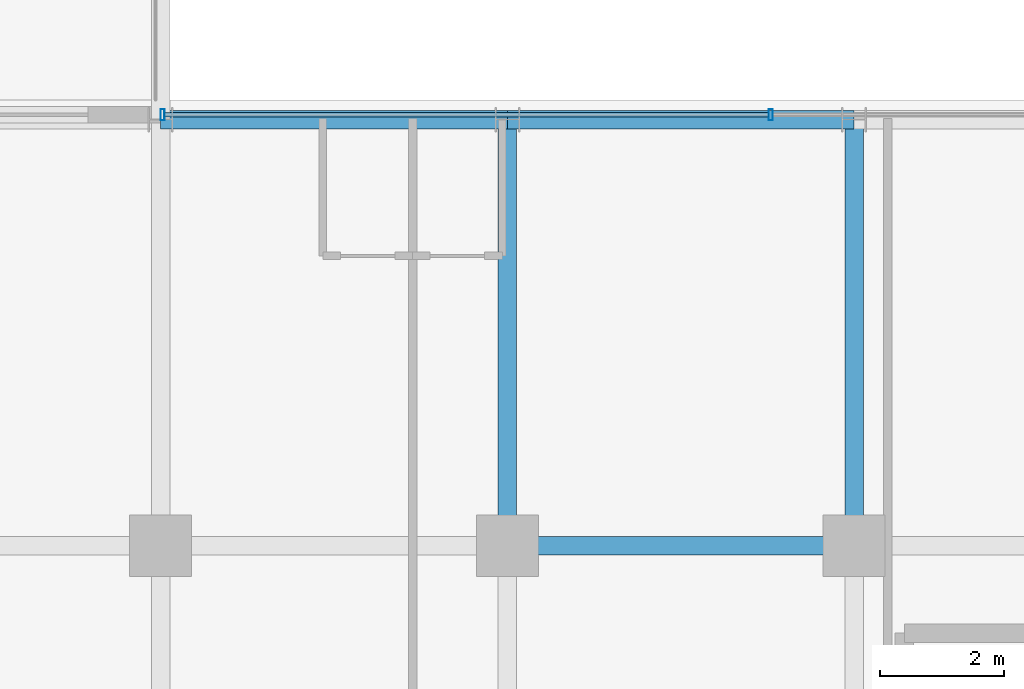
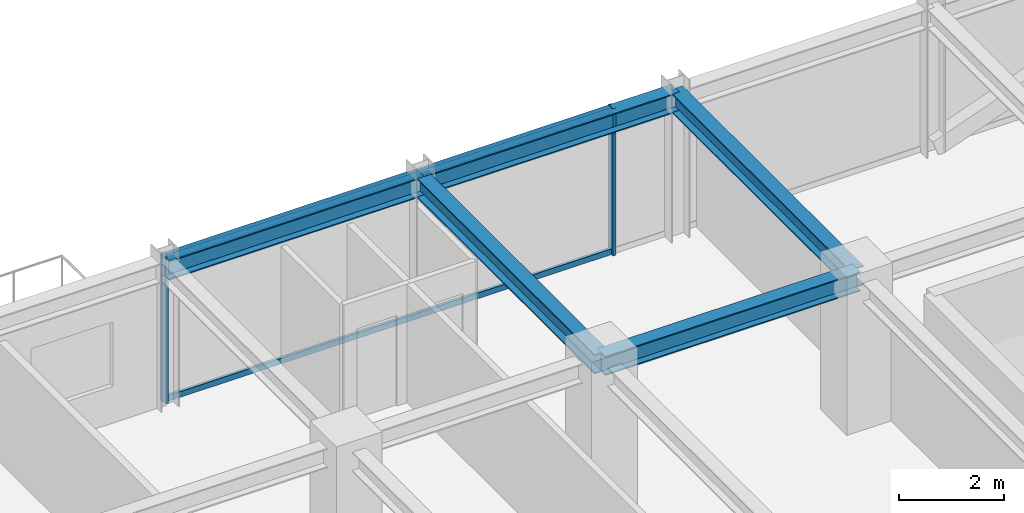
# One storey, part 23 of 36: 5 beams, 4 members, 1 element without a shape of its own.
"""IFC4 building model written with IfcOpenShell, lengths in metres."""

import ifcopenshell
import ifcopenshell.guid

model = None  # the IFC model being written
_history = None  # IfcOwnerHistory: only IFC2X3 demands one
_inside = {}  # id of a spatial element -> (the spatial element, [elements in it])
_under = {}  # id of a project, library or spatial element -> (it, [spatial elements below it])
_declared = {}  # id of a project -> (the project, [libraries it declares])
_typed = {}  # id of a type object -> (the type object, [elements of that type])
_made_of = {}  # id of a material, layer set ... -> (it, [elements and type objects made of it])


def new_model(schema):
    """Start an empty IFC model of exactly this schema.

    Asked for "IFC4X3", IfcOpenShell would pick the latest addendum, in which some entities
    have other attributes; the version numbers below select the first issue.
    IFC2X3 requires an IfcOwnerHistory on every rooted entity: one is made here for all.
    """
    global model, _history
    if schema == "IFC4X3":
        model = ifcopenshell.file(schema_version=(4, 3, 0, 0))
    else:
        model = ifcopenshell.file(schema=schema)
    _inside.clear()
    _under.clear()
    _declared.clear()
    _typed.clear()
    _made_of.clear()
    _history = None
    if model.schema == "IFC2X3":
        org = make("IfcOrganization", Name="unknown")
        user = make(
            "IfcPersonAndOrganization",
            ThePerson=make("IfcPerson", FamilyName="unknown"),
            TheOrganization=org,
        )
        app = make(
            "IfcApplication",
            ApplicationDeveloper=org,
            Version="unknown",
            ApplicationFullName="unknown",
            ApplicationIdentifier="unknown",
        )
        _history = make(
            "IfcOwnerHistory",
            OwningUser=user,
            OwningApplication=app,
            ChangeAction="ADDED",
            CreationDate=0,
        )
    return model


def make(cls, **values):
    """One entity of the class cls with the attributes given. An attribute that is None is left unset."""
    return model.create_entity(
        cls, **{name: value for name, value in values.items() if value is not None}
    )


def rooted(cls, **values):
    """An entity with a GlobalId (a new one), such as an element, a storey or a relation."""
    return make(cls, GlobalId=ifcopenshell.guid.new(), OwnerHistory=_history, **values)


def si_unit(unit_type, name, prefix=None):
    """IfcSIUnit, for example si_unit("LENGTHUNIT", "METRE", prefix="MILLI")."""
    return make("IfcSIUnit", UnitType=unit_type, Prefix=prefix, Name=name)


def assignment(units):
    """IfcUnitAssignment: the units of a project."""
    return None if units is None else make("IfcUnitAssignment", Units=units)


def point(xyz):
    """IfcCartesianPoint."""
    return None if xyz is None else make("IfcCartesianPoint", Coordinates=xyz)


def direction(xyz):
    """IfcDirection."""
    return None if xyz is None else make("IfcDirection", DirectionRatios=xyz)


def frame(location, z_axis=None, x_axis=None):
    """IfcAxis2Placement3D, a coordinate frame: its origin and axes. An axis left out is left unset."""
    return make(
        "IfcAxis2Placement3D",
        Location=point(location),
        Axis=direction(z_axis),
        RefDirection=direction(x_axis),
    )


def frame_2d(location, x_axis=None):
    """IfcAxis2Placement2D, a coordinate frame in the plane: its origin and x axis."""
    return make(
        "IfcAxis2Placement2D", Location=point(location), RefDirection=direction(x_axis)
    )


def origin():
    """The frame at (0, 0, 0) with its axes left unset."""
    return frame((0.0, 0.0, 0.0))


def origin_2d():
    """The frame at (0, 0) in the plane with its x axis left unset."""
    return frame_2d((0.0, 0.0))


def place(relative_to, where):
    """IfcLocalPlacement: puts the frame where relative to a parent placement (None: the world)."""
    return make(
        "IfcLocalPlacement", PlacementRelTo=relative_to, RelativePlacement=where
    )


def context(
    kind, dimensions, precision=None, world=None, true_north=None, identifier=None
):
    """IfcGeometricRepresentationContext, for example the 3D "Model" context."""
    return make(
        "IfcGeometricRepresentationContext",
        ContextIdentifier=identifier,
        ContextType=kind,
        CoordinateSpaceDimension=dimensions,
        Precision=precision,
        WorldCoordinateSystem=world,
        TrueNorth=true_north,
    )


def subcontext(parent, identifier, kind, view, scale=None):
    """IfcGeometricRepresentationSubContext, for example "Body" below "Model"."""
    return make(
        "IfcGeometricRepresentationSubContext",
        ContextIdentifier=identifier,
        ContextType=kind,
        ParentContext=parent,
        TargetScale=scale,
        TargetView=view,
    )


def project(units=None, contexts=None):
    """IfcProject with its units and contexts."""
    return rooted(
        "IfcProject",
        Name="project",
        RepresentationContexts=contexts,
        UnitsInContext=assignment(units),
    )


def spatial(cls, under=None, at=None, **own):
    """A site, building, storey or space (cls), placed at a placement, below another one or the project."""
    s = rooted(cls, ObjectPlacement=at, **own)
    if under is not None:
        _under.setdefault(under.id(), (under, []))[1].append(s)
    return s


def profile(cls, at=None, kind="AREA", **sizes):
    """A parametric profile (cls). Its sizes go by their IFC names, for example OverallWidth=200.0."""
    return make(cls, ProfileType=kind, Position=at, **sizes)


def hollow_rectangle(**sizes):
    """IfcRectangleHollowProfileDef."""
    return profile("IfcRectangleHollowProfileDef", **sizes)


def i_section(**sizes):
    """IfcIShapeProfileDef."""
    return profile("IfcIShapeProfileDef", **sizes)


def extrude(swept, where, along, depth):
    """IfcExtrudedAreaSolid: the profile swept, set in the frame where, extruded along a direction by depth."""
    return make(
        "IfcExtrudedAreaSolid",
        SweptArea=swept,
        Position=where,
        ExtrudedDirection=direction(along),
        Depth=depth,
    )


def shape(context_of_items, identifier, shape_type, items):
    """IfcShapeRepresentation: the items that make up one representation, for example the "Body"."""
    return make(
        "IfcShapeRepresentation",
        ContextOfItems=context_of_items,
        RepresentationIdentifier=identifier,
        RepresentationType=shape_type,
        Items=items,
    )


def source(mapping_origin, context_of_items, identifier, shape_type, items):
    """IfcRepresentationMap: a shape defined once, which mapped items show again and again."""
    return make(
        "IfcRepresentationMap",
        MappingOrigin=mapping_origin,
        MappedRepresentation=shape(context_of_items, identifier, shape_type, items),
    )


def transform(
    local_origin,
    x_axis=None,
    y_axis=None,
    z_axis=None,
    scale=None,
    scale2=None,
    scale3=None,
    uniform=True,
):
    """IfcCartesianTransformationOperator3D, or its non-uniform kind. x_axis, y_axis, z_axis: its Axis1, 2, 3."""
    if uniform:
        return make(
            "IfcCartesianTransformationOperator3D",
            Axis1=direction(x_axis),
            Axis2=direction(y_axis),
            LocalOrigin=point(local_origin),
            Scale=scale,
            Axis3=direction(z_axis),
        )
    return make(
        "IfcCartesianTransformationOperator3DnonUniform",
        Axis1=direction(x_axis),
        Axis2=direction(y_axis),
        LocalOrigin=point(local_origin),
        Scale=scale,
        Axis3=direction(z_axis),
        Scale2=scale2,
        Scale3=scale3,
    )


def mapped(mapping_source, mapping_target):
    """IfcMappedItem: shows the shape of a source again, moved by a transform."""
    return make(
        "IfcMappedItem", MappingSource=mapping_source, MappingTarget=mapping_target
    )


def material(Name=None, Category=None):
    """IfcMaterial."""
    return make("IfcMaterial", Name=Name, Category=Category)


def material_profile(
    of_material, cross_section, Name=None, Category=None, Priority=None
):
    """IfcMaterialProfile: a cross section and its material."""
    return make(
        "IfcMaterialProfile",
        Name=Name,
        Material=of_material,
        Profile=cross_section,
        Priority=Priority,
        Category=Category,
    )


def profile_set(profiles, Name=None, composite=None):
    """IfcMaterialProfileSet."""
    return make(
        "IfcMaterialProfileSet",
        Name=Name,
        MaterialProfiles=profiles,
        CompositeProfile=composite,
    )


def made_of(thing, what):
    """Note that an element or type object is made of a material, layer set ...; save() writes the relation."""
    if what is not None:
        _made_of.setdefault(what.id(), (what, []))[1].append(thing)
    return thing


def type_object(cls, material=None, **own):
    """A type object (cls), such as IfcWallType, which elements share."""
    return made_of(rooted(cls, **own), material)


def element(
    cls,
    number,
    at=None,
    inside=None,
    cuts=None,
    type_object=None,
    material=None,
    context=None,
    identifier="Body",
    shape_type=None,
    held_by="IfcProductDefinitionShape",
    body=None,
    shapes=None,
    **own,
):
    """One element of the class cls, such as IfcWall. Its Tag is "e" and its number.

    at: its placement. inside: the storey or other place that contains it. cuts: it is an
    opening in that element (IfcRelVoidsElement). A single representation is given by context,
    identifier, shape_type and body (its items); several are given by shapes. held_by: the class
    of the entity that holds the representations. save() writes the other relations.
    """
    e = rooted(cls, Tag="e%d" % number, ObjectPlacement=at, **own)
    if body is not None:
        shapes = [shape(context, identifier, shape_type, body)]
    if shapes is not None:
        e.Representation = make(held_by, Representations=shapes)
    if inside is not None:
        _inside.setdefault(inside.id(), (inside, []))[1].append(e)
    if cuts is not None:
        rooted(
            "IfcRelVoidsElement", RelatingBuildingElement=cuts, RelatedOpeningElement=e
        )
    if type_object is not None:
        _typed.setdefault(type_object.id(), (type_object, []))[1].append(e)
    return made_of(e, material)


def aggregate(whole, parts):
    """IfcRelAggregates: a whole, such as a stair, and the parts it consists of."""
    return rooted("IfcRelAggregates", RelatingObject=whole, RelatedObjects=parts)


def save(model, path):
    """Write the relations noted so far, then the file.

    IfcRelAggregates (storeys below a building ...), IfcRelContainedInSpatialStructure (elements
    in a storey), IfcRelDefinesByType, IfcRelAssociatesMaterial and IfcRelDeclares: one each for
    every whole, place, type object, material and project.
    """
    for whole, parts in _under.values():
        aggregate(whole, parts)
    for where, things in _inside.values():
        rooted(
            "IfcRelContainedInSpatialStructure",
            RelatedElements=things,
            RelatingStructure=where,
        )
    for kind, things in _typed.values():
        rooted("IfcRelDefinesByType", RelatedObjects=things, RelatingType=kind)
    for what, things in _made_of.values():
        rooted("IfcRelAssociatesMaterial", RelatedObjects=things, RelatingMaterial=what)
    for by, libraries in _declared.values():
        rooted("IfcRelDeclares", RelatingContext=by, RelatedDefinitions=libraries)
    model.write(path)


model = new_model("IFC4")

# Units and contexts
model_context = context("Model", 3, precision=1e-05, world=origin(), true_north=direction((0.0, 1.0)))
body_context = subcontext(model_context, "Body", "Model", "MODEL_VIEW")
ifc_project = project(units=[si_unit("LENGTHUNIT", "METRE"), si_unit("AREAUNIT", "SQUARE_METRE"), si_unit("VOLUMEUNIT", "CUBIC_METRE"), si_unit("PLANEANGLEUNIT", "RADIAN"), si_unit("MASSUNIT", "GRAM", prefix="KILO")], contexts=[model_context])

# Site, building, storey
site_placement = place(None, origin())
site = spatial("IfcSite", under=ifc_project, at=site_placement, CompositionType="ELEMENT")
building_placement = place(site_placement, origin())
building = spatial("IfcBuilding", under=site, at=building_placement, Name="Nahalor Promenade Grand Hotel", CompositionType="ELEMENT")
storey_placement = place(building_placement, frame((0.0, 0.0, 212.300048828125)))
storey = spatial("IfcBuildingStorey", under=building, at=storey_placement, Name="L54", CompositionType="ELEMENT", Elevation=212.300048828125)

# Beams
ifc_material_1 = material(Name="Steel S355JR", Category="steel")
ifc_material_profile_1 = material_profile(ifc_material_1, i_section(OverallWidth=0.3, OverallDepth=0.45, WebThickness=0.014, FlangeThickness=0.026, at=origin_2d()), Name="HEB 450")
ifc_profile_set_1 = profile_set([ifc_material_profile_1], Name="Steel S355JR")
beam_type_1 = type_object("IfcBeamType", Name="Beam-Spandrel-HEB450", PredefinedType="SPANDREL", material=ifc_profile_set_1)
shared_shape_1 = source(origin(), body_context, "Body", "SweptSolid", [
    extrude(i_section(OverallWidth=0.3, OverallDepth=0.45, WebThickness=0.014, FlangeThickness=0.026, at=origin_2d()), origin(), (0.0, 0.0, 1.0), 5.599853515625),
])
beam_1_placement = place(storey_placement, frame((-8.39990234375, 23.8798828125, 3.18505859375), z_axis=(1.0, 0.0, 0.0), x_axis=(0.0, 1.0, 0.0)))
element("IfcBeam", 1, at=beam_1_placement, inside=storey, type_object=beam_type_1, Name="BM-L54-SP-N-1", PredefinedType="SPANDREL", context=body_context, shape_type="MappedRepresentation", body=[
    mapped(shared_shape_1, transform((0.0, 0.0, 0.0), scale=1.0)),
])
shared_shape_2 = source(origin(), body_context, "Body", "SweptSolid", [
    extrude(i_section(OverallWidth=0.3, OverallDepth=0.45, WebThickness=0.014, FlangeThickness=0.026, at=origin_2d()), origin(), (0.0, 0.0, 1.0), 5.60009765625),
])
beam_2_placement = place(storey_placement, frame((-2.800048828125, 23.8798828125, 3.18505859375), z_axis=(1.0, 0.0, 0.0), x_axis=(0.0, 1.0, 0.0)))
element("IfcBeam", 2, at=beam_2_placement, inside=storey, type_object=beam_type_1, Name="BM-L54-SP-N-2", PredefinedType="SPANDREL", context=body_context, shape_type="MappedRepresentation", body=[
    mapped(shared_shape_2, transform((0.0, 0.0, 0.0), scale=1.0)),
])
ifc_material_profile_2 = material_profile(ifc_material_1, i_section(OverallWidth=0.3, OverallDepth=0.45, WebThickness=0.014, FlangeThickness=0.026, at=origin_2d()), Name="HEB 450")
ifc_profile_set_2 = profile_set([ifc_material_profile_2], Name="Steel S355JR")
beam_type_2 = type_object("IfcBeamType", Name="Beam-Girder-HEB450", PredefinedType="BEAM", material=ifc_profile_set_2)
shared_shape_3 = source(origin(), body_context, "Body", "SweptSolid", [
    extrude(i_section(OverallWidth=0.3, OverallDepth=0.45, WebThickness=0.014, FlangeThickness=0.026, at=origin_2d()), origin(), (0.0, 0.0, 1.0), 6.8798828125),
])
for number, where, z_axis, x_axis, name in (
    (3, (-2.800048828125, 17.0, 3.18505859375), (0.0, 1.0, 0.0), (-1.0, 0.0, 0.0), "BM-L54-GY-2-4"),
    (4, (2.800048828125, 17.0, 3.18505859375), (0.0, 1.0, 0.0), (-1.0, 0.0, 0.0), "BM-L54-GY-3-4"),
):
    element("IfcBeam", number, at=place(storey_placement, frame(where, z_axis=z_axis, x_axis=x_axis)), inside=storey, type_object=beam_type_2, Name=name, PredefinedType="BEAM", context=body_context, shape_type="MappedRepresentation", body=[
        mapped(shared_shape_3, transform((0.0, 0.0, 0.0), scale=1.0)),
    ])
shared_shape_4 = source(origin(), body_context, "Body", "SweptSolid", [
    extrude(i_section(OverallWidth=0.3, OverallDepth=0.45, WebThickness=0.014, FlangeThickness=0.026, at=origin_2d()), origin(), (0.0, 0.0, 1.0), 5.60009765625),
])
beam_3_placement = place(storey_placement, frame((-2.800048828125, 17.0, 3.18505859375), z_axis=(1.0, 0.0, 0.0), x_axis=(0.0, 1.0, 0.0)))
element("IfcBeam", 5, at=beam_3_placement, inside=storey, type_object=beam_type_2, Name="BM-L54-GX-3-3", PredefinedType="BEAM", context=body_context, shape_type="MappedRepresentation", body=[
    mapped(shared_shape_4, transform((0.0, 0.0, 0.0), scale=1.0)),
])

# Curtain wall, members
ifc_material_2 = material(Name="Anodised Bronze Aluminium EN AW-6063 T6", Category="aluminium")
curtain_wall_type = type_object("IfcCurtainWallType", Name="CW2 Typical Hotel Flush Bronze Unitised Curtain Wall", PredefinedType="USERDEFINED", material=ifc_material_2)
curtain_wall_placement = place(storey_placement, origin())
curtain_wall = element("IfcCurtainWall", 6, at=curtain_wall_placement, inside=storey, type_object=curtain_wall_type, Name="L54 Curtain Wall CW-L54-N-3", ObjectType="UNITISED_CURTAIN_WALL", PredefinedType="USERDEFINED")
ifc_material_profile_3 = material_profile(ifc_material_2, hollow_rectangle(XDim=0.065, YDim=0.13, WallThickness=0.004, at=origin_2d()), Name="CWT 65x130x4")
ifc_profile_set_3 = profile_set([ifc_material_profile_3], Name="Anodised Bronze Aluminium EN AW-6063 T6")
member_type_1 = type_object("IfcMemberType", Name="CWT2 Typical Bronze Transom 65x130", PredefinedType="USERDEFINED", material=ifc_profile_set_3)
shared_shape_5 = source(origin(), body_context, "Body", "SweptSolid", [
    extrude(hollow_rectangle(XDim=0.065, YDim=0.13, WallThickness=0.004, at=origin_2d()), origin(), (0.0, 0.0, 1.0), 9.755859375),
])
member_1_placement = place(storey_placement, frame((-8.3349609375, 23.9599609375, 0.06494140625), z_axis=(1.0, 0.0, 0.0), x_axis=(0.0, 1.0, 0.0)))
member_1 = element("IfcMember", 7, at=member_1_placement, type_object=member_type_1, Name="CW-L54-N-3 Transom 0-0", ObjectType="TRANSOM", PredefinedType="USERDEFINED", context=body_context, shape_type="MappedRepresentation", body=[
    mapped(shared_shape_5, transform((0.0, 0.0, 0.0), scale=1.0)),
])
member_2_placement = place(storey_placement, frame((-8.3349609375, 23.9599609375, 3.344970703125), z_axis=(1.0, 0.0, 0.0), x_axis=(0.0, 1.0, 0.0)))
member_2 = element("IfcMember", 8, at=member_2_placement, type_object=member_type_1, Name="CW-L54-N-3 Transom 0-1", ObjectType="TRANSOM", PredefinedType="USERDEFINED", context=body_context, shape_type="MappedRepresentation", body=[
    mapped(shared_shape_5, transform((0.0, 0.0, 0.0), scale=1.0)),
])
ifc_material_profile_4 = material_profile(ifc_material_2, hollow_rectangle(XDim=0.065, YDim=0.18, WallThickness=0.004, at=origin_2d()), Name="CWM 65x180x4")
ifc_profile_set_4 = profile_set([ifc_material_profile_4], Name="Anodised Bronze Aluminium EN AW-6063 T6")
member_type_2 = type_object("IfcMemberType", Name="CWM2 Typical Bronze Mullion 65x180", PredefinedType="MULLION", material=ifc_profile_set_4)
shared_shape_6 = source(origin(), body_context, "Body", "SweptSolid", [
    extrude(hollow_rectangle(XDim=0.065, YDim=0.18, WallThickness=0.004, at=origin_2d()), origin(), (0.0, 0.0, 1.0), 3.409912109375),
])
member_3_placement = place(storey_placement, frame((-8.367431640625, 23.9599609375, 0.0), z_axis=(0.0, 0.0, 1.0), x_axis=(1.0, 0.0, 0.0)))
member_3 = element("IfcMember", 9, at=member_3_placement, type_object=member_type_2, Name="CW-L54-N-3 Mullion 0", PredefinedType="MULLION", context=body_context, shape_type="MappedRepresentation", body=[
    mapped(shared_shape_6, transform((0.0, 0.0, 0.0), scale=1.0)),
])
member_4_placement = place(storey_placement, frame((1.453369140625, 23.9599609375, 0.0), z_axis=(0.0, 0.0, 1.0), x_axis=(1.0, 0.0, 0.0)))
member_4 = element("IfcMember", 10, at=member_4_placement, type_object=member_type_2, Name="CW-L54-N-3 Mullion 1", PredefinedType="MULLION", context=body_context, shape_type="MappedRepresentation", body=[
    mapped(shared_shape_6, transform((0.0, 0.0, 0.0), scale=1.0)),
])
aggregate(curtain_wall, [member_3, member_4, member_1, member_2])

save(model, "model.ifc")
